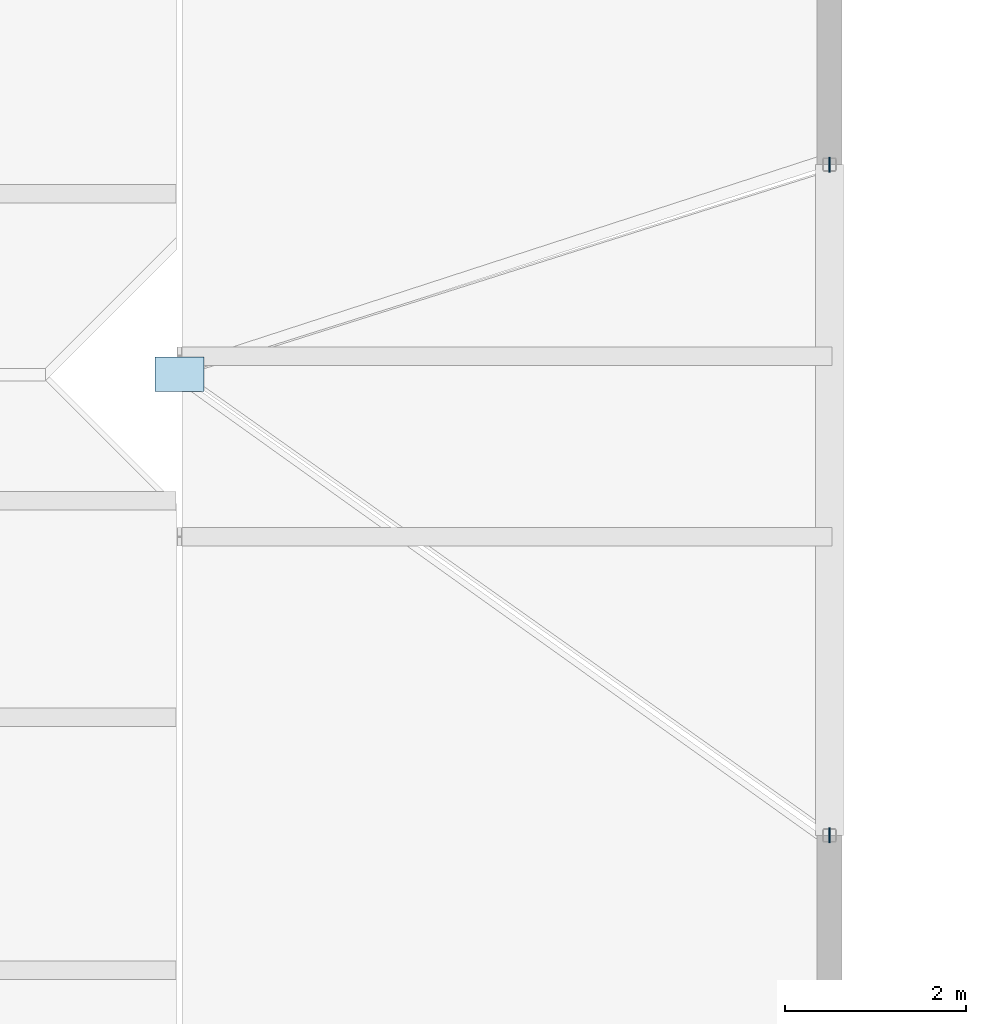
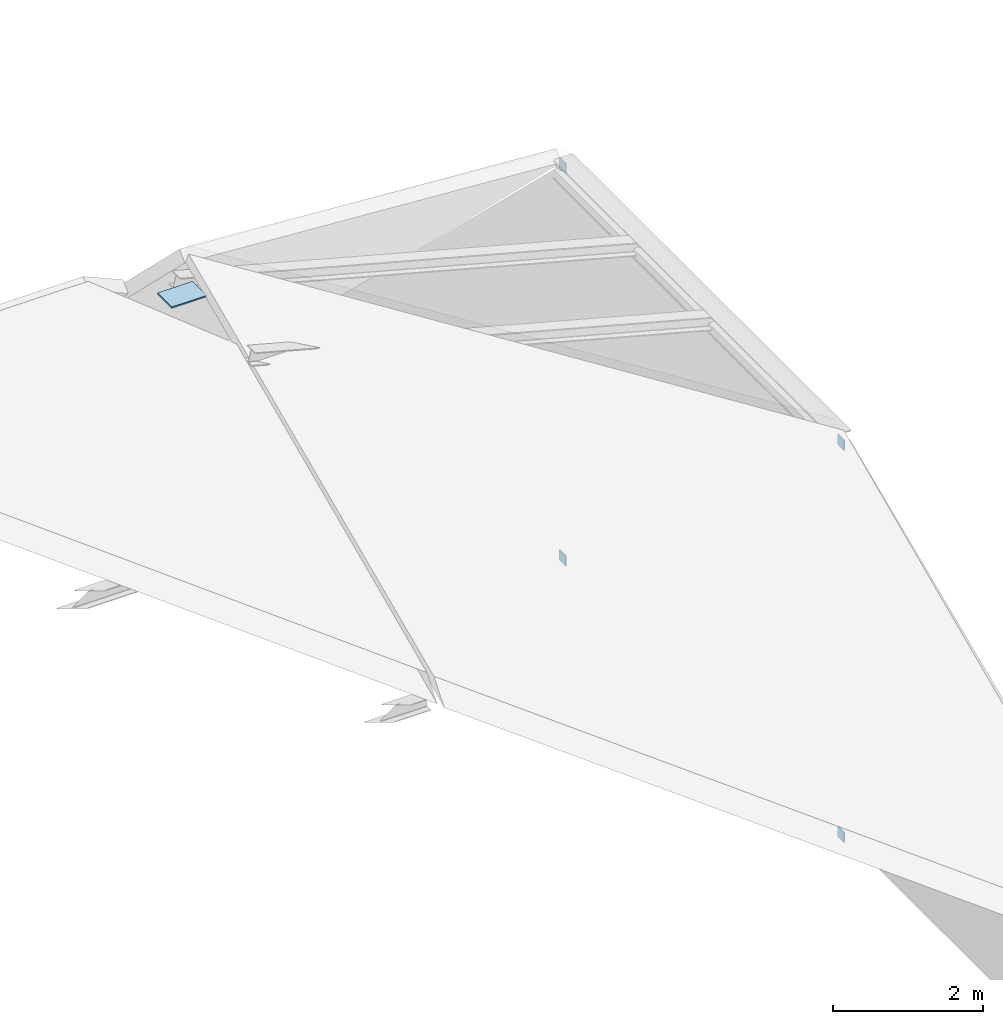
# One storey, part 36 of 54: 5 plates.
"""IFC4 building model written with IfcOpenShell, lengths in metres."""

from ifc_helpers import new_model, si_unit, direction, frame, origin, origin_2d, place, context, subcontext, project, spatial, rectangle, extrude, material, layer, layer_set, type_object, element, save


model = new_model("IFC4")

# Units and contexts
model_context = context("Model", 3, precision=1e-05, world=origin(), true_north=direction((0.0, 1.0)))
body_context = subcontext(model_context, "Body", "Model", "MODEL_VIEW")
ifc_project = project(units=[si_unit("LENGTHUNIT", "METRE"), si_unit("AREAUNIT", "SQUARE_METRE"), si_unit("VOLUMEUNIT", "CUBIC_METRE"), si_unit("PLANEANGLEUNIT", "RADIAN"), si_unit("MASSUNIT", "GRAM", prefix="KILO")], contexts=[model_context])

# Site, building, storey
site_placement = place(None, origin())
site = spatial("IfcSite", under=ifc_project, at=site_placement, CompositionType="ELEMENT")
building_placement = place(site_placement, origin())
building = spatial("IfcBuilding", under=site, at=building_placement, Name="Koriwan Promenade Central Fire Station", CompositionType="ELEMENT")
storey_placement = place(building_placement, frame((0.0, 0.0, 9.60009765625)))
storey = spatial("IfcBuildingStorey", under=building, at=storey_placement, Name="L02", CompositionType="ELEMENT", Elevation=9.60009765625)

# Plates
ifc_material = material(Name="Steel ASTM A572 Grade 50", Category="steel")
ifc_layer_1 = layer(ifc_material, 0.01611328125, Name="Steel ASTM A572 Grade 50")
ifc_layer_set_1 = layer_set([ifc_layer_1], Name="Steel ASTM A572 Grade 50")
plate_type_1 = type_object("IfcPlateType", Name="EndCap_HSS150", PredefinedType="SHEET", material=ifc_layer_set_1)
for number, where, z_axis, x_axis, name in (
    (1, (115.199951171875, 57.89208984375, -0.2705078125), (0.0, 0.0, 1.0), (1.0, 0.0, 0.0), "V1 east portal truss vertical 1 end cap 1"),
    (2, (115.199951171875, 57.89208984375, 6.115234375), (0.0, 0.0, 1.0), (1.0, 0.0, 0.0), "V1 east portal truss vertical 1 end cap 2"),
    (3, (115.199951171875, 65.32177734375, -0.2705078125), (0.0, 0.0, 1.0), (1.0, 0.0, 0.0), "V1 east portal truss vertical 2 end cap 1"),
    (4, (115.199951171875, 65.32177734375, 6.115234375), (0.0, 0.0, 1.0), (1.0, 0.0, 0.0), "V1 east portal truss vertical 2 end cap 2"),
):
    element("IfcPlate", number, at=place(storey_placement, frame(where, z_axis=z_axis, x_axis=x_axis)), inside=storey, type_object=plate_type_1, Name=name, PredefinedType="SHEET", context=body_context, shape_type="SweptSolid", body=[
        extrude(rectangle(XDim=0.01611328125, YDim=0.1650390625, at=origin_2d()), origin(), (0.0, 0.0, 1.0), 0.1650390625),
    ])
ifc_layer_2 = layer(ifc_material, 0.3798828125, Name="Steel ASTM A572 Grade 50")
ifc_layer_set_2 = layer_set([ifc_layer_2], Name="Steel ASTM A572 Grade 50")
plate_type_2 = type_object("IfcPlateType", Name="NodeGusset_Kink", PredefinedType="SHEET", material=ifc_layer_set_2)
plate_placement = place(storey_placement, frame((108.0, 63.0, 8.009033203125), z_axis=(0.0, 0.0, 1.0), x_axis=(1.0, 0.0, 0.0)))
element("IfcPlate", 5, at=plate_placement, inside=storey, type_object=plate_type_2, Name="V1 east chamfer kink node gusset KN-G1", PredefinedType="SHEET", context=body_context, shape_type="SweptSolid", body=[
    extrude(rectangle(XDim=0.5400390625, YDim=0.3798828125, at=origin_2d()), origin(), (0.0, 0.0, 1.0), 0.02197265625),
])

save(model, "model.ifc")
